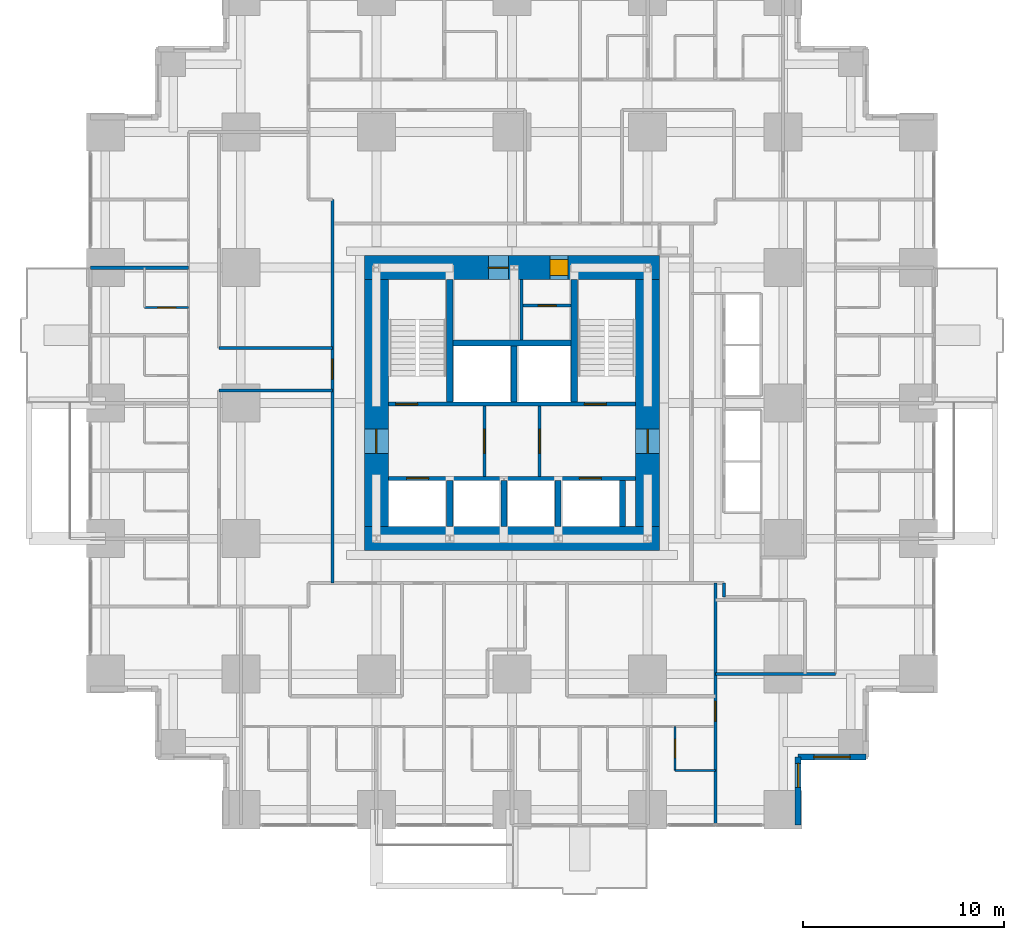
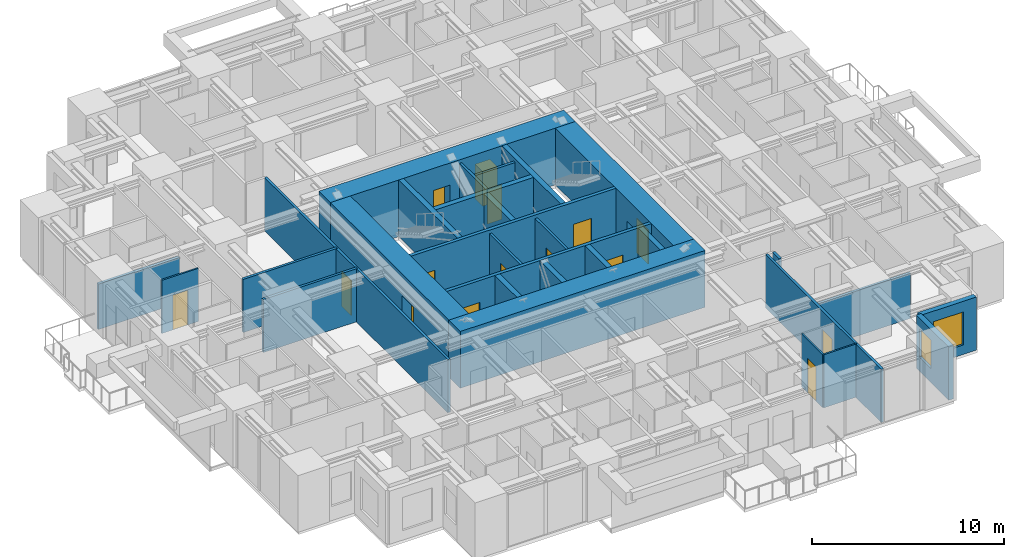
# One storey, part 10 of 15: 30 walls, 15 doors, 2 windows, 17 openings.
"""IFC4 building model written with IfcOpenShell, lengths in metres."""

from ifc_helpers import new_model, si_unit, direction, frame, frame_2d, origin, place, context, subcontext, project, spatial, rectangle, extrude, material, layer, layer_set, type_object, element, fill, save


model = new_model("IFC4")

# Units and contexts
model_context = context("Model", 3, precision=1e-05, world=origin(), true_north=direction((0.0, 1.0)))
body_context = subcontext(model_context, "Body", "Model", "MODEL_VIEW")
ifc_project = project(units=[si_unit("LENGTHUNIT", "METRE"), si_unit("AREAUNIT", "SQUARE_METRE"), si_unit("VOLUMEUNIT", "CUBIC_METRE"), si_unit("PLANEANGLEUNIT", "RADIAN"), si_unit("MASSUNIT", "GRAM", prefix="KILO")], contexts=[model_context])

# Site, building, storey
site_placement = place(None, origin())
site = spatial("IfcSite", under=ifc_project, at=site_placement, CompositionType="ELEMENT")
building_placement = place(site_placement, origin())
building = spatial("IfcBuilding", under=site, at=building_placement, Name="Nyansa Garden Tower", CompositionType="ELEMENT")
storey_placement = place(building_placement, frame((0.0, 0.0, 36.0)))
storey = spatial("IfcBuildingStorey", under=building, at=storey_placement, Name="L09", CompositionType="ELEMENT", Elevation=36.0)

# Wall
ifc_material_1 = material(Name="Dense blockwork, plastered both sides, 55 dB", Category="masonry")
ifc_layer_1 = layer(ifc_material_1, 0.175048828125)
ifc_layer_set_1 = layer_set([ifc_layer_1], Name="Acoustic party wall PW175")
wall_type_1 = type_object("IfcWallType", Name="Acoustic party wall PW175", PredefinedType="PARTITIONING", material=ifc_layer_set_1)
wall_1_placement = place(storey_placement, frame((-0.73388671875, 27.0, 0.0), z_axis=(0.0, 0.0, 1.0), x_axis=(1.0, 0.0, 0.0)))
element("IfcWall", 1, at=wall_1_placement, inside=storey, type_object=wall_type_1, Name="Party wall", PredefinedType="PARTITIONING", context=body_context, shape_type="SweptSolid", body=[
    extrude(rectangle(XDim=4.8837890625, YDim=0.175048828125, at=frame_2d((2.44189453125, 0.0))), origin(), (0.0, 0.0, 1.0), 2.876953125),
])

# Wall, openings, doors
ifc_material_2 = material(Name="Concrete C70/85", Category="concrete")
ifc_layer_2 = layer(ifc_material_2, 0.199951171875)
ifc_layer_set_2 = layer_set([ifc_layer_2], Name="Core inner wall CI200")
wall_type_2 = type_object("IfcWallType", Name="Core inner wall CI200", PredefinedType="SHEAR", material=ifc_layer_set_2)
wall_2_placement = place(storey_placement, frame((14.10009765625, 16.5, 0.0), z_axis=(0.0, 0.0, 1.0), x_axis=(1.0, 0.0, 0.0)))
wall_2 = element("IfcWall", 2, at=wall_2_placement, inside=storey, type_object=wall_type_2, Name="Core inner wall L09", PredefinedType="SHEAR", context=body_context, shape_type="SweptSolid", body=[
    extrude(rectangle(XDim=12.2998046875, YDim=0.199951171875, at=frame_2d((6.14990234375, 0.0))), origin(), (0.0, 0.0, 1.0), 3.60009765625),
])
opening_1_placement = place(wall_2_placement, frame((0.89990234375, 0.0, 0.0)))
opening_1 = element("IfcOpeningElement", 3, at=opening_1_placement, cuts=wall_2, Name="Opening LD-F", PredefinedType="OPENING", context=body_context, shape_type="SweptSolid", body=[
    extrude(rectangle(XDim=1.10009765625, YDim=2.199951171875, at=frame_2d((0.550048828125, 1.10009765625))), frame((0.0, 0.10986328125, 0.0), z_axis=(0.0, -1.0, 0.0), x_axis=(1.0, 0.0, 0.0)), (0.0, 0.0, 1.0), 0.219970703125),
])
opening_2_placement = place(wall_2_placement, frame((9.5, 0.0, 0.0)))
opening_2 = element("IfcOpeningElement", 4, at=opening_2_placement, cuts=wall_2, Name="Opening LD-F", PredefinedType="OPENING", context=body_context, shape_type="SweptSolid", body=[
    extrude(rectangle(XDim=1.10009765625, YDim=2.199951171875, at=frame_2d((0.550048828125, 1.10009765625))), frame((0.0, 0.10986328125, 0.0), z_axis=(0.0, -1.0, 0.0), x_axis=(1.0, 0.0, 0.0)), (0.0, 0.0, 1.0), 0.219970703125),
])
ifc_material_3 = material(Name="Stainless steel centre-opening landing door of the firefighting lift, EN 81-72, E 120", Category="steel")
door_type_1 = type_object("IfcDoorType", Name="Lift landing door LD-F 1100x2200", OperationType="DOUBLE_DOOR_SLIDING", PredefinedType="DOOR", material=ifc_material_3)
door_1_placement = place(opening_1_placement, origin())
door_1 = element("IfcDoor", 5, at=door_1_placement, inside=storey, type_object=door_type_1, Name="Landing door FF1", OperationType="DOUBLE_DOOR_SLIDING", OverallHeight=2.199951171875, OverallWidth=1.10009765625, PredefinedType="DOOR", context=body_context, shape_type="SweptSolid", body=[
    extrude(rectangle(XDim=1.10009765625, YDim=2.199951171875, at=frame_2d((0.550048828125, 1.10009765625))), frame((0.0, 0.02490234375, 0.0), z_axis=(0.0, -1.0, 0.0), x_axis=(1.0, 0.0, 0.0)), (0.0, 0.0, 1.0), 0.050048828125),
])
fill(opening_1, door_1)
door_2_placement = place(opening_2_placement, origin())
door_2 = element("IfcDoor", 6, at=door_2_placement, inside=storey, type_object=door_type_1, Name="Landing door FF2", OperationType="DOUBLE_DOOR_SLIDING", OverallHeight=2.199951171875, OverallWidth=1.10009765625, PredefinedType="DOOR", context=body_context, shape_type="SweptSolid", body=[
    extrude(rectangle(XDim=1.10009765625, YDim=2.199951171875, at=frame_2d((0.550048828125, 1.10009765625))), frame((0.0, 0.02490234375, 0.0), z_axis=(0.0, -1.0, 0.0), x_axis=(1.0, 0.0, 0.0)), (0.0, 0.0, 1.0), 0.050048828125),
])
fill(opening_2, door_2)

wall_3_placement = place(storey_placement, frame((14.10009765625, 20.199951171875, 0.0), z_axis=(0.0, 0.0, 1.0), x_axis=(1.0, 0.0, 0.0)))
wall_3 = element("IfcWall", 7, at=wall_3_placement, inside=storey, type_object=wall_type_2, Name="Core inner wall L09", PredefinedType="SHEAR", context=body_context, shape_type="SweptSolid", body=[
    extrude(rectangle(XDim=12.2998046875, YDim=0.199951171875, at=frame_2d((6.14990234375, 0.0))), origin(), (0.0, 0.0, 1.0), 3.60009765625),
])
opening_3_placement = place(wall_3_placement, frame((0.35009765625, 0.0, 0.0)))
opening_3 = element("IfcOpeningElement", 8, at=opening_3_placement, cuts=wall_3, Name="Opening D05", PredefinedType="OPENING", context=body_context, shape_type="SweptSolid", body=[
    extrude(rectangle(XDim=1.10009765625, YDim=2.199951171875, at=frame_2d((0.550048828125, 1.10009765625))), frame((0.0, 0.10986328125, 0.0), z_axis=(0.0, -1.0, 0.0), x_axis=(1.0, 0.0, 0.0)), (0.0, 0.0, 1.0), 0.219970703125),
])
opening_4_placement = place(wall_3_placement, frame((9.75, 0.0, 0.0)))
opening_4 = element("IfcOpeningElement", 9, at=opening_4_placement, cuts=wall_3, Name="Opening D05", PredefinedType="OPENING", context=body_context, shape_type="SweptSolid", body=[
    extrude(rectangle(XDim=1.10009765625, YDim=2.199951171875, at=frame_2d((0.550048828125, 1.10009765625))), frame((0.0, 0.10986328125, 0.0), z_axis=(0.0, -1.0, 0.0), x_axis=(1.0, 0.0, 0.0)), (0.0, 0.0, 1.0), 0.219970703125),
])
ifc_material_4 = material(Name="Steel door, 120 minute fire resisting", Category="steel")
door_type_2 = type_object("IfcDoorType", Name="Stair door D05 1100x2200", OperationType="SINGLE_SWING_LEFT", PredefinedType="DOOR", material=ifc_material_4)
door_3_placement = place(opening_3_placement, origin())
door_3 = element("IfcDoor", 10, at=door_3_placement, inside=storey, type_object=door_type_2, Name="Stair S1 door", OperationType="SINGLE_SWING_LEFT", OverallHeight=2.199951171875, OverallWidth=1.10009765625, PredefinedType="DOOR", context=body_context, shape_type="SweptSolid", body=[
    extrude(rectangle(XDim=1.10009765625, YDim=2.199951171875, at=frame_2d((0.550048828125, 1.10009765625))), frame((0.0, 0.02490234375, 0.0), z_axis=(0.0, -1.0, 0.0), x_axis=(1.0, 0.0, 0.0)), (0.0, 0.0, 1.0), 0.050048828125),
])
fill(opening_3, door_3)
door_4_placement = place(opening_4_placement, origin())
door_4 = element("IfcDoor", 11, at=door_4_placement, inside=storey, type_object=door_type_2, Name="Stair S2 door", OperationType="SINGLE_SWING_LEFT", OverallHeight=2.199951171875, OverallWidth=1.10009765625, PredefinedType="DOOR", context=body_context, shape_type="SweptSolid", body=[
    extrude(rectangle(XDim=1.10009765625, YDim=2.199951171875, at=frame_2d((0.550048828125, 1.10009765625))), frame((0.0, 0.02490234375, 0.0), z_axis=(0.0, -1.0, 0.0), x_axis=(1.0, 0.0, 0.0)), (0.0, 0.0, 1.0), 0.050048828125),
])
fill(opening_4, door_4)

# Walls
ifc_material_5 = material(Name="Concrete C70/85", Category="concrete")
ifc_layer_3 = layer(ifc_material_5, 0.300048828125)
ifc_layer_set_3 = layer_set([ifc_layer_3], Name="Core inner wall CI300")
wall_type_3 = type_object("IfcWallType", Name="Core inner wall CI300", PredefinedType="SHEAR", material=ifc_layer_set_3)
for number, where, z_axis, x_axis, name in (
    (12, (17.14990234375, 20.300048828125, 0.0), (0.0, 0.0, 1.0), (0.0, 1.0, 0.0), "Core inner wall L09"),
    (13, (23.35009765625, 20.300048828125, 0.0), (0.0, 0.0, 1.0), (0.0, 1.0, 0.0), "Core inner wall L09"),
):
    element("IfcWall", number, at=place(storey_placement, frame(where, z_axis=z_axis, x_axis=x_axis)), inside=storey, type_object=wall_type_3, Name=name, PredefinedType="SHEAR", context=body_context, shape_type="SweptSolid", body=[
        extrude(rectangle(XDim=6.099853515625, YDim=0.300048828125, at=frame_2d((3.0498046875, 0.0))), origin(), (0.0, 0.0, 1.0), 3.60009765625),
    ])
wall_4_placement = place(storey_placement, frame((20.35009765625, 20.300048828125, 0.0), z_axis=(0.0, 0.0, 1.0), x_axis=(0.0, 1.0, 0.0)))
element("IfcWall", 14, at=wall_4_placement, inside=storey, type_object=wall_type_3, Name="Core inner wall L09", PredefinedType="SHEAR", context=body_context, shape_type="SweptSolid", body=[
    extrude(rectangle(XDim=2.800048828125, YDim=0.300048828125, at=frame_2d((1.39990234375, 0.0))), origin(), (0.0, 0.0, 1.0), 3.60009765625),
])
wall_5_placement = place(storey_placement, frame((17.300048828125, 23.25, 0.0), z_axis=(0.0, 0.0, 1.0), x_axis=(1.0, 0.0, 0.0)))
element("IfcWall", 15, at=wall_5_placement, inside=storey, type_object=wall_type_3, Name="Core inner wall L09", PredefinedType="SHEAR", context=body_context, shape_type="SweptSolid", body=[
    extrude(rectangle(XDim=5.89990234375, YDim=0.300048828125, at=frame_2d((2.949951171875, 0.0))), origin(), (0.0, 0.0, 1.0), 3.60009765625),
])
for number, where, z_axis, x_axis, name in (
    (16, (17.14990234375, 14.10009765625, 0.0), (0.0, 0.0, 1.0), (0.0, 1.0, 0.0), "Core inner wall L09"),
    (17, (19.85009765625, 14.10009765625, 0.0), (0.0, 0.0, 1.0), (0.0, 1.0, 0.0), "Core inner wall L09"),
    (18, (22.550048828125, 14.10009765625, 0.0), (0.0, 0.0, 1.0), (0.0, 1.0, 0.0), "Core inner wall L09"),
    (19, (25.75, 14.10009765625, 0.0), (0.0, 0.0, 1.0), (0.0, 1.0, 0.0), "Core inner wall L09"),
):
    element("IfcWall", number, at=place(storey_placement, frame(where, z_axis=z_axis, x_axis=x_axis)), inside=storey, type_object=wall_type_3, Name=name, PredefinedType="SHEAR", context=body_context, shape_type="SweptSolid", body=[
        extrude(rectangle(XDim=2.2998046875, YDim=0.300048828125, at=frame_2d((1.14990234375, 0.0))), origin(), (0.0, 0.0, 1.0), 3.60009765625),
    ])
ifc_material_6 = material(Name="Concrete C80/95", Category="concrete")
ifc_layer_4 = layer(ifc_material_6, 1.199951171875)
ifc_layer_set_4 = layer_set([ifc_layer_4], Name="Core wall CW1200")
wall_type_4 = type_object("IfcWallType", Name="Core wall CW1200", PredefinedType="SHEAR", material=ifc_layer_set_4)
wall_6_placement = place(storey_placement, frame((12.89990234375, 13.5, 0.0), z_axis=(0.0, 0.0, 1.0), x_axis=(1.0, 0.0, 0.0)))
element("IfcWall", 20, at=wall_6_placement, inside=storey, type_object=wall_type_4, Name="Core wall S L09", PredefinedType="SHEAR", context=body_context, shape_type="SweptSolid", body=[
    extrude(rectangle(XDim=14.7001953125, YDim=1.199951171875, at=frame_2d((7.35009765625, 0.0))), origin(), (0.0, 0.0, 1.0), 3.60009765625),
])

# Wall, opening, door
wall_7_placement = place(storey_placement, frame((27.0, 14.10009765625, 0.0), z_axis=(0.0, 0.0, 1.0), x_axis=(0.0, 1.0, 0.0)))
wall_7 = element("IfcWall", 21, at=wall_7_placement, inside=storey, type_object=wall_type_4, Name="Core wall E L09", PredefinedType="SHEAR", context=body_context, shape_type="SweptSolid", body=[
    extrude(rectangle(XDim=12.2998046875, YDim=1.199951171875, at=frame_2d((6.14990234375, 0.0))), origin(), (0.0, 0.0, 1.0), 3.60009765625),
])
opening_5_placement = place(wall_7_placement, frame((3.64990234375, 0.0, 0.0)))
opening_5 = element("IfcOpeningElement", 22, at=opening_5_placement, cuts=wall_7, Name="Opening D06", PredefinedType="OPENING", context=body_context, shape_type="SweptSolid", body=[
    extrude(rectangle(XDim=1.199951171875, YDim=2.199951171875, at=frame_2d((0.60009765625, 1.10009765625))), frame((0.0, 0.60986328125, 0.0), z_axis=(0.0, -1.0, 0.0), x_axis=(1.0, 0.0, 0.0)), (0.0, 0.0, 1.0), 1.219970703125),
])
ifc_material_7 = material(Name="Steel door, 120 minute fire resisting", Category="steel")
door_type_3 = type_object("IfcDoorType", Name="Lobby door D06 1200x2200", OperationType="DOUBLE_DOOR_SINGLE_SWING", PredefinedType="DOOR", material=ifc_material_7)
door_5_placement = place(opening_5_placement, origin())
door_5 = element("IfcDoor", 23, at=door_5_placement, inside=storey, type_object=door_type_3, Name="Lift lobby door east", OperationType="DOUBLE_DOOR_SINGLE_SWING", OverallHeight=2.199951171875, OverallWidth=1.199951171875, PredefinedType="DOOR", context=body_context, shape_type="SweptSolid", body=[
    extrude(rectangle(XDim=1.199951171875, YDim=2.199951171875, at=frame_2d((0.60009765625, 1.10009765625))), frame((0.0, 0.02490234375, 0.0), z_axis=(0.0, -1.0, 0.0), x_axis=(1.0, 0.0, 0.0)), (0.0, 0.0, 1.0), 0.050048828125),
])
fill(opening_5, door_5)

# Wall, openings, doors
wall_8_placement = place(storey_placement, frame((27.60009765625, 27.0, 0.0), z_axis=(0.0, 0.0, 1.0), x_axis=(-1.0, 0.0, 0.0)))
wall_8 = element("IfcWall", 24, at=wall_8_placement, inside=storey, type_object=wall_type_4, Name="Core wall N L09", PredefinedType="SHEAR", context=body_context, shape_type="SweptSolid", body=[
    extrude(rectangle(XDim=14.7001953125, YDim=1.199951171875, at=frame_2d((7.35009765625, 0.0))), origin(), (0.0, 0.0, 1.0), 3.60009765625),
])
opening_6_placement = place(wall_8_placement, frame((4.550048828125, 0.0, 0.0)))
opening_6 = element("IfcOpeningElement", 25, at=opening_6_placement, cuts=wall_8, Name="Opening D15", PredefinedType="OPENING", context=body_context, shape_type="SweptSolid", body=[
    extrude(rectangle(XDim=0.89990234375, YDim=2.199951171875, at=frame_2d((0.449951171875, 1.10009765625))), frame((0.0, 0.60986328125, 0.0), z_axis=(0.0, -1.0, 0.0), x_axis=(1.0, 0.0, 0.0)), (0.0, 0.0, 1.0), 1.219970703125),
])
opening_7_placement = place(wall_8_placement, frame((7.52490234375, 0.0, 0.0)))
opening_7 = element("IfcOpeningElement", 26, at=opening_7_placement, cuts=wall_8, Name="Opening D07", PredefinedType="OPENING", context=body_context, shape_type="SweptSolid", body=[
    extrude(rectangle(XDim=1.0, YDim=2.199951171875, at=frame_2d((0.5, 1.10009765625))), frame((0.0, 0.60986328125, 0.0), z_axis=(0.0, -1.0, 0.0), x_axis=(1.0, 0.0, 0.0)), (0.0, 0.0, 1.0), 1.219970703125),
])
ifc_material_8 = material(Name="Timber flush door, 60 minute fire resisting, self-closing", Category="wood")
door_type_4 = type_object("IfcDoorType", Name="Core room door D15 900x2200", OperationType="SINGLE_SWING_LEFT", PredefinedType="DOOR", material=ifc_material_8)
door_6_placement = place(opening_6_placement, origin())
door_6 = element("IfcDoor", 27, at=door_6_placement, inside=storey, type_object=door_type_4, Name="Core room door", OperationType="SINGLE_SWING_LEFT", OverallHeight=2.199951171875, OverallWidth=0.89990234375, PredefinedType="DOOR", context=body_context, shape_type="SweptSolid", body=[
    extrude(rectangle(XDim=0.89990234375, YDim=2.199951171875, at=frame_2d((0.449951171875, 1.10009765625))), frame((0.0, 0.39990234375, 0.0), z_axis=(0.0, -1.0, 0.0), x_axis=(1.0, 0.0, 0.0)), (0.0, 0.0, 1.0), 0.800048828125),
])
fill(opening_6, door_6)
ifc_material_9 = material(Name="Steel door, 120 minute fire resisting", Category="steel")
door_type_5 = type_object("IfcDoorType", Name="Riser door D07 1000x2200", OperationType="SINGLE_SWING_LEFT", PredefinedType="DOOR", material=ifc_material_9)
door_7_placement = place(opening_7_placement, origin())
door_7 = element("IfcDoor", 28, at=door_7_placement, inside=storey, type_object=door_type_5, Name="Riser and refuse room door", OperationType="SINGLE_SWING_LEFT", OverallHeight=2.199951171875, OverallWidth=1.0, PredefinedType="DOOR", context=body_context, shape_type="SweptSolid", body=[
    extrude(rectangle(XDim=1.0, YDim=2.199951171875, at=frame_2d((0.5, 1.10009765625))), frame((0.0, 0.02490234375, 0.0), z_axis=(0.0, -1.0, 0.0), x_axis=(1.0, 0.0, 0.0)), (0.0, 0.0, 1.0), 0.050048828125),
])
fill(opening_7, door_7)

# Wall, opening, door
wall_9_placement = place(storey_placement, frame((13.5, 26.39990234375, 0.0), z_axis=(0.0, 0.0, 1.0), x_axis=(0.0, -1.0, 0.0)))
wall_9 = element("IfcWall", 29, at=wall_9_placement, inside=storey, type_object=wall_type_4, Name="Core wall W L09", PredefinedType="SHEAR", context=body_context, shape_type="SweptSolid", body=[
    extrude(rectangle(XDim=12.2998046875, YDim=1.199951171875, at=frame_2d((6.14990234375, 0.0))), origin(), (0.0, 0.0, 1.0), 3.60009765625),
])
opening_8_placement = place(wall_9_placement, frame((7.449951171875, 0.0, 0.0)))
opening_8 = element("IfcOpeningElement", 30, at=opening_8_placement, cuts=wall_9, Name="Opening D06", PredefinedType="OPENING", context=body_context, shape_type="SweptSolid", body=[
    extrude(rectangle(XDim=1.199951171875, YDim=2.199951171875, at=frame_2d((0.60009765625, 1.10009765625))), frame((0.0, 0.60986328125, 0.0), z_axis=(0.0, -1.0, 0.0), x_axis=(1.0, 0.0, 0.0)), (0.0, 0.0, 1.0), 1.219970703125),
])
door_8_placement = place(opening_8_placement, origin())
door_8 = element("IfcDoor", 31, at=door_8_placement, inside=storey, type_object=door_type_3, Name="Lift lobby door west", OperationType="DOUBLE_DOOR_SINGLE_SWING", OverallHeight=2.199951171875, OverallWidth=1.199951171875, PredefinedType="DOOR", context=body_context, shape_type="SweptSolid", body=[
    extrude(rectangle(XDim=1.199951171875, YDim=2.199951171875, at=frame_2d((0.60009765625, 1.10009765625))), frame((0.0, 0.02490234375, 0.0), z_axis=(0.0, -1.0, 0.0), x_axis=(1.0, 0.0, 0.0)), (0.0, 0.0, 1.0), 0.050048828125),
])
fill(opening_8, door_8)

ifc_material_10 = material(Name="Blockwork, plastered both sides", Category="masonry")
ifc_layer_5 = layer(ifc_material_10, 0.14990234375)
ifc_layer_set_5 = layer_set([ifc_layer_5], Name="Partition PW150")
wall_type_5 = type_object("IfcWallType", Name="Partition PW150", PredefinedType="PARTITIONING", material=ifc_layer_set_5)
wall_10_placement = place(storey_placement, frame((18.875, 16.60009765625, 0.0), z_axis=(0.0, 0.0, 1.0), x_axis=(0.0, 1.0, 0.0)))
wall_10 = element("IfcWall", 32, at=wall_10_placement, inside=storey, type_object=wall_type_5, Name="Partition", PredefinedType="PARTITIONING", context=body_context, shape_type="SweptSolid", body=[
    extrude(rectangle(XDim=3.5, YDim=0.14990234375, at=frame_2d((1.75, 0.0))), origin(), (0.0, 0.0, 1.0), 3.375),
])
opening_9_placement = place(wall_10_placement, frame((1.14990234375, 0.0, 0.0)))
opening_9 = element("IfcOpeningElement", 33, at=opening_9_placement, cuts=wall_10, Name="Opening D06", PredefinedType="OPENING", context=body_context, shape_type="SweptSolid", body=[
    extrude(rectangle(XDim=1.199951171875, YDim=2.199951171875, at=frame_2d((0.60009765625, 1.10009765625))), frame((0.0, 0.0849609375, 0.0), z_axis=(0.0, -1.0, 0.0), x_axis=(1.0, 0.0, 0.0)), (0.0, 0.0, 1.0), 0.169921875),
])
door_9_placement = place(opening_9_placement, origin())
door_9 = element("IfcDoor", 34, at=door_9_placement, inside=storey, type_object=door_type_3, Name="Passenger lift lobby door", OperationType="DOUBLE_DOOR_SINGLE_SWING", OverallHeight=2.199951171875, OverallWidth=1.199951171875, PredefinedType="DOOR", context=body_context, shape_type="SweptSolid", body=[
    extrude(rectangle(XDim=1.199951171875, YDim=2.199951171875, at=frame_2d((0.60009765625, 1.10009765625))), frame((0.0, 0.02490234375, 0.0), z_axis=(0.0, -1.0, 0.0), x_axis=(1.0, 0.0, 0.0)), (0.0, 0.0, 1.0), 0.050048828125),
])
fill(opening_9, door_9)

wall_11_placement = place(storey_placement, frame((21.625, 16.60009765625, 0.0), z_axis=(0.0, 0.0, 1.0), x_axis=(0.0, 1.0, 0.0)))
wall_11 = element("IfcWall", 35, at=wall_11_placement, inside=storey, type_object=wall_type_5, Name="Partition", PredefinedType="PARTITIONING", context=body_context, shape_type="SweptSolid", body=[
    extrude(rectangle(XDim=3.5, YDim=0.14990234375, at=frame_2d((1.75, 0.0))), origin(), (0.0, 0.0, 1.0), 3.375),
])
opening_10_placement = place(wall_11_placement, frame((1.14990234375, 0.0, 0.0)))
opening_10 = element("IfcOpeningElement", 36, at=opening_10_placement, cuts=wall_11, Name="Opening D06", PredefinedType="OPENING", context=body_context, shape_type="SweptSolid", body=[
    extrude(rectangle(XDim=1.199951171875, YDim=2.199951171875, at=frame_2d((0.60009765625, 1.10009765625))), frame((0.0, 0.0849609375, 0.0), z_axis=(0.0, -1.0, 0.0), x_axis=(1.0, 0.0, 0.0)), (0.0, 0.0, 1.0), 0.169921875),
])
door_10_placement = place(opening_10_placement, origin())
door_10 = element("IfcDoor", 37, at=door_10_placement, inside=storey, type_object=door_type_3, Name="Passenger lift lobby door", OperationType="DOUBLE_DOOR_SINGLE_SWING", OverallHeight=2.199951171875, OverallWidth=1.199951171875, PredefinedType="DOOR", context=body_context, shape_type="SweptSolid", body=[
    extrude(rectangle(XDim=1.199951171875, YDim=2.199951171875, at=frame_2d((0.60009765625, 1.10009765625))), frame((0.0, 0.02490234375, 0.0), z_axis=(0.0, -1.0, 0.0), x_axis=(1.0, 0.0, 0.0)), (0.0, 0.0, 1.0), 0.050048828125),
])
fill(opening_10, door_10)

# Wall
wall_12_placement = place(storey_placement, frame((20.72509765625, 23.39990234375, 0.0), z_axis=(0.0, 0.0, 1.0), x_axis=(0.0, 1.0, 0.0)))
element("IfcWall", 38, at=wall_12_placement, inside=storey, type_object=wall_type_5, Name="Partition", PredefinedType="PARTITIONING", context=body_context, shape_type="SweptSolid", body=[
    extrude(rectangle(XDim=3.0, YDim=0.14990234375, at=frame_2d((1.5, 0.0))), origin(), (0.0, 0.0, 1.0), 3.375),
])

# Wall, opening, door
wall_13_placement = place(storey_placement, frame((20.800048828125, 25.10009765625, 0.0), z_axis=(0.0, 0.0, 1.0), x_axis=(1.0, 0.0, 0.0)))
wall_13 = element("IfcWall", 39, at=wall_13_placement, inside=storey, type_object=wall_type_5, Name="Partition", PredefinedType="PARTITIONING", context=body_context, shape_type="SweptSolid", body=[
    extrude(rectangle(XDim=2.39990234375, YDim=0.14990234375, at=frame_2d((1.199951171875, 0.0))), origin(), (0.0, 0.0, 1.0), 3.375),
])
opening_11_placement = place(wall_13_placement, frame((0.75, 0.0, 0.0)))
opening_11 = element("IfcOpeningElement", 40, at=opening_11_placement, cuts=wall_13, Name="Opening D02", PredefinedType="OPENING", context=body_context, shape_type="SweptSolid", body=[
    extrude(rectangle(XDim=0.89990234375, YDim=2.199951171875, at=frame_2d((0.449951171875, 1.10009765625))), frame((0.0, 0.0849609375, 0.0), z_axis=(0.0, -1.0, 0.0), x_axis=(1.0, 0.0, 0.0)), (0.0, 0.0, 1.0), 0.169921875),
])
ifc_material_11 = material(Name="Timber flush door", Category="wood")
door_type_6 = type_object("IfcDoorType", Name="En-suite door D02 900x2200", OperationType="SINGLE_SWING_RIGHT", PredefinedType="DOOR", material=ifc_material_11)
door_11_placement = place(opening_11_placement, origin())
door_11 = element("IfcDoor", 41, at=door_11_placement, inside=storey, type_object=door_type_6, Name="Staff WC door", OperationType="SINGLE_SWING_RIGHT", OverallHeight=2.199951171875, OverallWidth=0.89990234375, PredefinedType="DOOR", context=body_context, shape_type="SweptSolid", body=[
    extrude(rectangle(XDim=0.89990234375, YDim=2.199951171875, at=frame_2d((0.449951171875, 1.10009765625))), frame((0.0, 0.02490234375, 0.0), z_axis=(0.0, -1.0, 0.0), x_axis=(1.0, 0.0, 0.0)), (0.0, 0.0, 1.0), 0.050048828125),
])
fill(opening_11, door_11)

# Walls
for number, where, z_axis, x_axis, name in (
    (42, (5.64990234375, 20.886962890625, 0.0), (0.0, 0.0, 1.0), (1.0, 0.0, 0.0), "Partition"),
    (43, (5.64990234375, 22.988037109375, 0.0), (0.0, 0.0, 1.0), (1.0, 0.0, 0.0), "Partition"),
):
    element("IfcWall", number, at=place(storey_placement, frame(where, z_axis=z_axis, x_axis=x_axis)), inside=storey, type_object=wall_type_5, Name=name, PredefinedType="PARTITIONING", context=body_context, shape_type="SweptSolid", body=[
        extrude(rectangle(XDim=5.650146484375, YDim=0.14990234375, at=frame_2d((2.8251953125, 0.0))), origin(), (0.0, 0.0, 1.0), 3.375),
    ])

# Wall, opening, door
wall_14_placement = place(storey_placement, frame((11.300048828125, 11.300048828125, 0.0), z_axis=(0.0, 0.0, 1.0), x_axis=(0.0, 1.0, 0.0)))
wall_14 = element("IfcWall", 44, at=wall_14_placement, inside=storey, type_object=wall_type_5, Name="Partition", PredefinedType="PARTITIONING", context=body_context, shape_type="SweptSolid", body=[
    extrude(rectangle(XDim=19.074951171875, YDim=0.14990234375, at=frame_2d((9.53759765625, 0.0))), origin(), (0.0, 0.0, 1.0), 3.375),
])
opening_12_placement = place(wall_14_placement, frame((10.137451171875, 0.0, 0.0)))
opening_12 = element("IfcOpeningElement", 45, at=opening_12_placement, cuts=wall_14, Name="Opening D03", PredefinedType="OPENING", context=body_context, shape_type="SweptSolid", body=[
    extrude(rectangle(XDim=1.0, YDim=2.199951171875, at=frame_2d((0.5, 1.10009765625))), frame((0.0, 0.0849609375, 0.0), z_axis=(0.0, -1.0, 0.0), x_axis=(1.0, 0.0, 0.0)), (0.0, 0.0, 1.0), 0.169921875),
])
ifc_material_12 = material(Name="Timber flush door, 60 minute fire resisting", Category="wood")
door_type_7 = type_object("IfcDoorType", Name="Cluster entrance door D03 1000x2200", OperationType="SINGLE_SWING_LEFT", PredefinedType="DOOR", material=ifc_material_12)
door_12_placement = place(opening_12_placement, origin())
door_12 = element("IfcDoor", 46, at=door_12_placement, inside=storey, type_object=door_type_7, Name="Door L09-082", OperationType="SINGLE_SWING_LEFT", OverallHeight=2.199951171875, OverallWidth=1.0, PredefinedType="DOOR", context=body_context, shape_type="SweptSolid", body=[
    extrude(rectangle(XDim=1.0, YDim=2.199951171875, at=frame_2d((0.5, 1.10009765625))), frame((0.0, 0.02490234375, 0.0), z_axis=(0.0, -1.0, 0.0), x_axis=(1.0, 0.0, 0.0)), (0.0, 0.0, 1.0), 0.050048828125),
])
fill(opening_12, door_12)

wall_15_placement = place(storey_placement, frame((30.375, -0.73388671875, 0.0), z_axis=(0.0, 0.0, 1.0), x_axis=(0.0, 1.0, 0.0)))
wall_15 = element("IfcWall", 47, at=wall_15_placement, inside=storey, type_object=wall_type_5, Name="Partition", PredefinedType="PARTITIONING", context=body_context, shape_type="SweptSolid", body=[
    extrude(rectangle(XDim=12.033935546875, YDim=0.14990234375, at=frame_2d((6.01708984375, 0.0))), origin(), (0.0, 0.0, 1.0), 3.375),
])
opening_13_placement = place(wall_15_placement, frame((5.134033203125, 0.0, 0.0)))
opening_13 = element("IfcOpeningElement", 48, at=opening_13_placement, cuts=wall_15, Name="Opening D03", PredefinedType="OPENING", context=body_context, shape_type="SweptSolid", body=[
    extrude(rectangle(XDim=1.0, YDim=2.199951171875, at=frame_2d((0.5, 1.10009765625))), frame((0.0, 0.0849609375, 0.0), z_axis=(0.0, -1.0, 0.0), x_axis=(1.0, 0.0, 0.0)), (0.0, 0.0, 1.0), 0.169921875),
])
door_13_placement = place(opening_13_placement, origin())
door_13 = element("IfcDoor", 49, at=door_13_placement, inside=storey, type_object=door_type_7, Name="Door L09-038", OperationType="SINGLE_SWING_LEFT", OverallHeight=2.199951171875, OverallWidth=1.0, PredefinedType="DOOR", context=body_context, shape_type="SweptSolid", body=[
    extrude(rectangle(XDim=1.0, YDim=2.199951171875, at=frame_2d((0.5, 1.10009765625))), frame((0.0, 0.02490234375, 0.0), z_axis=(0.0, -1.0, 0.0), x_axis=(1.0, 0.0, 0.0)), (0.0, 0.0, 1.0), 0.050048828125),
])
fill(opening_13, door_13)

# Walls
wall_16_placement = place(storey_placement, frame((30.375, 6.75, 0.0), z_axis=(0.0, 0.0, 1.0), x_axis=(1.0, 0.0, 0.0)))
element("IfcWall", 50, at=wall_16_placement, inside=storey, type_object=wall_type_5, Name="Partition", PredefinedType="PARTITIONING", context=body_context, shape_type="SweptSolid", body=[
    extrude(rectangle(XDim=5.97509765625, YDim=0.14990234375, at=frame_2d((2.987548828125, 0.0))), origin(), (0.0, 0.0, 1.0), 2.876953125),
])
wall_17_placement = place(storey_placement, frame((30.800048828125, 10.60009765625, 0.0), z_axis=(0.0, 0.0, 1.0), x_axis=(0.0, 1.0, 0.0)))
element("IfcWall", 51, at=wall_17_placement, inside=storey, type_object=wall_type_5, Name="Partition", PredefinedType="PARTITIONING", context=body_context, shape_type="SweptSolid", body=[
    extrude(rectangle(XDim=0.699951171875, YDim=0.14990234375, at=frame_2d((0.35009765625, 0.0))), origin(), (0.0, 0.0, 1.0), 3.375),
])

# Wall, opening, window
ifc_material_13 = material(Name="Turquoise glazed tile on concrete blockwork", Category="masonry")
ifc_layer_6 = layer(ifc_material_13, 0.300048828125)
ifc_layer_set_6 = layer_set([ifc_layer_6], Name="Tiled corner wall TW300")
wall_type_6 = type_object("IfcWallType", Name="Tiled corner wall TW300", PredefinedType="SOLIDWALL", material=ifc_layer_set_6)
wall_18_placement = place(storey_placement, frame((34.5, -0.75, 0.0), z_axis=(0.0, 0.0, 1.0), x_axis=(0.0, 1.0, 0.0)))
wall_18 = element("IfcWall", 52, at=wall_18_placement, inside=storey, type_object=wall_type_6, Name="Tiled corner wall L09", PredefinedType="SOLIDWALL", context=body_context, shape_type="SweptSolid", body=[
    extrude(rectangle(XDim=3.375, YDim=0.300048828125, at=frame_2d((1.6875, 0.0))), origin(), (0.0, 0.0, 1.0), 3.375),
])
opening_14_placement = place(wall_18_placement, frame((1.857421875, 0.0, 0.89990234375)))
opening_14 = element("IfcOpeningElement", 53, at=opening_14_placement, cuts=wall_18, Name="Opening W4", PredefinedType="OPENING", context=body_context, shape_type="SweptSolid", body=[
    extrude(rectangle(XDim=1.199951171875, YDim=1.800048828125, at=frame_2d((0.60009765625, 0.89990234375))), frame((0.0, 0.159912109375, 0.0), z_axis=(0.0, -1.0, 0.0), x_axis=(1.0, 0.0, 0.0)), (0.0, 0.0, 1.0), 0.320068359375),
])
ifc_material_14 = material(Name="Black aluminium frame, dark tinted double glazing", Category="aluminium")
window_type_1 = type_object("IfcWindowType", Name="Window W4 1200x1800", PartitioningType="SINGLE_PANEL", PredefinedType="WINDOW", material=ifc_material_14)
window_1_placement = place(opening_14_placement, origin())
window_1 = element("IfcWindow", 54, at=window_1_placement, inside=storey, type_object=window_type_1, Name="Corner window L09", OverallHeight=1.800048828125, OverallWidth=1.199951171875, PartitioningType="SINGLE_PANEL", PredefinedType="WINDOW", context=body_context, shape_type="SweptSolid", body=[
    extrude(rectangle(XDim=1.199951171875, YDim=1.800048828125, at=frame_2d((0.60009765625, 0.89990234375))), frame((0.0, 0.030029296875, 0.0), z_axis=(0.0, -1.0, 0.0), x_axis=(1.0, 0.0, 0.0)), (0.0, 0.0, 1.0), 0.06005859375),
])
fill(opening_14, window_1)

wall_19_placement = place(storey_placement, frame((34.5, 2.625, 0.0), z_axis=(0.0, 0.0, 1.0), x_axis=(1.0, 0.0, 0.0)))
wall_19 = element("IfcWall", 55, at=wall_19_placement, inside=storey, type_object=wall_type_6, Name="Tiled corner wall L09", PredefinedType="SOLIDWALL", context=body_context, shape_type="SweptSolid", body=[
    extrude(rectangle(XDim=3.375, YDim=0.300048828125, at=frame_2d((1.6875, 0.0))), origin(), (0.0, 0.0, 1.0), 3.375),
])
opening_15_placement = place(wall_19_placement, frame((0.78759765625, 0.0, 0.60009765625)))
opening_15 = element("IfcOpeningElement", 56, at=opening_15_placement, cuts=wall_19, Name="Opening W2", PredefinedType="OPENING", context=body_context, shape_type="SweptSolid", body=[
    extrude(rectangle(XDim=1.800048828125, YDim=2.10009765625, at=frame_2d((0.89990234375, 1.050048828125))), frame((0.0, 0.159912109375, 0.0), z_axis=(0.0, -1.0, 0.0), x_axis=(1.0, 0.0, 0.0)), (0.0, 0.0, 1.0), 0.320068359375),
])
ifc_material_15 = material(Name="Black aluminium frame, dark tinted double glazing", Category="aluminium")
window_type_2 = type_object("IfcWindowType", Name="Window W2 1800x2100", PartitioningType="SINGLE_PANEL", PredefinedType="WINDOW", material=ifc_material_15)
window_2_placement = place(opening_15_placement, origin())
window_2 = element("IfcWindow", 57, at=window_2_placement, inside=storey, type_object=window_type_2, Name="Corner window L09", OverallHeight=2.10009765625, OverallWidth=1.800048828125, PartitioningType="SINGLE_PANEL", PredefinedType="WINDOW", context=body_context, shape_type="SweptSolid", body=[
    extrude(rectangle(XDim=1.800048828125, YDim=2.10009765625, at=frame_2d((0.89990234375, 1.050048828125))), frame((0.0, 0.030029296875, 0.0), z_axis=(0.0, -1.0, 0.0), x_axis=(1.0, 0.0, 0.0)), (0.0, 0.0, 1.0), 0.06005859375),
])
fill(opening_15, window_2)

# Wall, opening, door
ifc_material_16 = material(Name="Moisture resistant board on steel studs, tiled", Category="steel")
ifc_layer_7 = layer(ifc_material_16, 0.10009765625)
ifc_layer_set_7 = layer_set([ifc_layer_7], Name="Wet wall PW100")
wall_type_7 = type_object("IfcWallType", Name="Wet wall PW100", PredefinedType="PARTITIONING", material=ifc_layer_set_7)
wall_20_placement = place(storey_placement, frame((1.949951171875, 25.0, 0.0), z_axis=(0.0, 0.0, 1.0), x_axis=(1.0, 0.0, 0.0)))
wall_20 = element("IfcWall", 58, at=wall_20_placement, inside=storey, type_object=wall_type_7, Name="Wet wall", PredefinedType="PARTITIONING", context=body_context, shape_type="SweptSolid", body=[
    extrude(rectangle(XDim=2.199951171875, YDim=0.10009765625, at=frame_2d((1.10009765625, 0.0))), origin(), (0.0, 0.0, 1.0), 3.375),
])
opening_16_placement = place(wall_20_placement, frame((0.64990234375, 0.0, 0.0)))
opening_16 = element("IfcOpeningElement", 59, at=opening_16_placement, cuts=wall_20, Name="Opening D02", PredefinedType="OPENING", context=body_context, shape_type="SweptSolid", body=[
    extrude(rectangle(XDim=0.89990234375, YDim=2.199951171875, at=frame_2d((0.449951171875, 1.10009765625))), frame((0.0, 0.06005859375, 0.0), z_axis=(0.0, -1.0, 0.0), x_axis=(1.0, 0.0, 0.0)), (0.0, 0.0, 1.0), 0.1201171875),
])
door_14_placement = place(opening_16_placement, origin())
door_14 = element("IfcDoor", 60, at=door_14_placement, inside=storey, type_object=door_type_6, Name="Door L09-079", OperationType="SINGLE_SWING_RIGHT", OverallHeight=2.199951171875, OverallWidth=0.89990234375, PredefinedType="DOOR", context=body_context, shape_type="SweptSolid", body=[
    extrude(rectangle(XDim=0.89990234375, YDim=2.199951171875, at=frame_2d((0.449951171875, 1.10009765625))), frame((0.0, 0.02490234375, 0.0), z_axis=(0.0, -1.0, 0.0), x_axis=(1.0, 0.0, 0.0)), (0.0, 0.0, 1.0), 0.050048828125),
])
fill(opening_16, door_14)

wall_21_placement = place(storey_placement, frame((28.375, 1.949951171875, 0.0), z_axis=(0.0, 0.0, 1.0), x_axis=(0.0, 1.0, 0.0)))
wall_21 = element("IfcWall", 61, at=wall_21_placement, inside=storey, type_object=wall_type_7, Name="Wet wall", PredefinedType="PARTITIONING", context=body_context, shape_type="SweptSolid", body=[
    extrude(rectangle(XDim=2.199951171875, YDim=0.10009765625, at=frame_2d((1.10009765625, 0.0))), origin(), (0.0, 0.0, 1.0), 3.375),
])
opening_17_placement = place(wall_21_placement, frame((0.64990234375, 0.0, 0.0)))
opening_17 = element("IfcOpeningElement", 62, at=opening_17_placement, cuts=wall_21, Name="Opening D02", PredefinedType="OPENING", context=body_context, shape_type="SweptSolid", body=[
    extrude(rectangle(XDim=0.89990234375, YDim=2.199951171875, at=frame_2d((0.449951171875, 1.10009765625))), frame((0.0, 0.06005859375, 0.0), z_axis=(0.0, -1.0, 0.0), x_axis=(1.0, 0.0, 0.0)), (0.0, 0.0, 1.0), 0.1201171875),
])
door_15_placement = place(opening_17_placement, origin())
door_15 = element("IfcDoor", 63, at=door_15_placement, inside=storey, type_object=door_type_6, Name="Door L09-033", OperationType="SINGLE_SWING_RIGHT", OverallHeight=2.199951171875, OverallWidth=0.89990234375, PredefinedType="DOOR", context=body_context, shape_type="SweptSolid", body=[
    extrude(rectangle(XDim=0.89990234375, YDim=2.199951171875, at=frame_2d((0.449951171875, 1.10009765625))), frame((0.0, 0.02490234375, 0.0), z_axis=(0.0, -1.0, 0.0), x_axis=(1.0, 0.0, 0.0)), (0.0, 0.0, 1.0), 0.050048828125),
])
fill(opening_17, door_15)

# Wall
wall_22_placement = place(storey_placement, frame((28.375, 1.949951171875, 0.0), z_axis=(0.0, 0.0, 1.0), x_axis=(1.0, 0.0, 0.0)))
element("IfcWall", 64, at=wall_22_placement, inside=storey, type_object=wall_type_7, Name="Wet wall", PredefinedType="PARTITIONING", context=body_context, shape_type="SweptSolid", body=[
    extrude(rectangle(XDim=2.0, YDim=0.10009765625, at=frame_2d((1.0, 0.0))), origin(), (0.0, 0.0, 1.0), 3.375),
])

save(model, "model.ifc")
